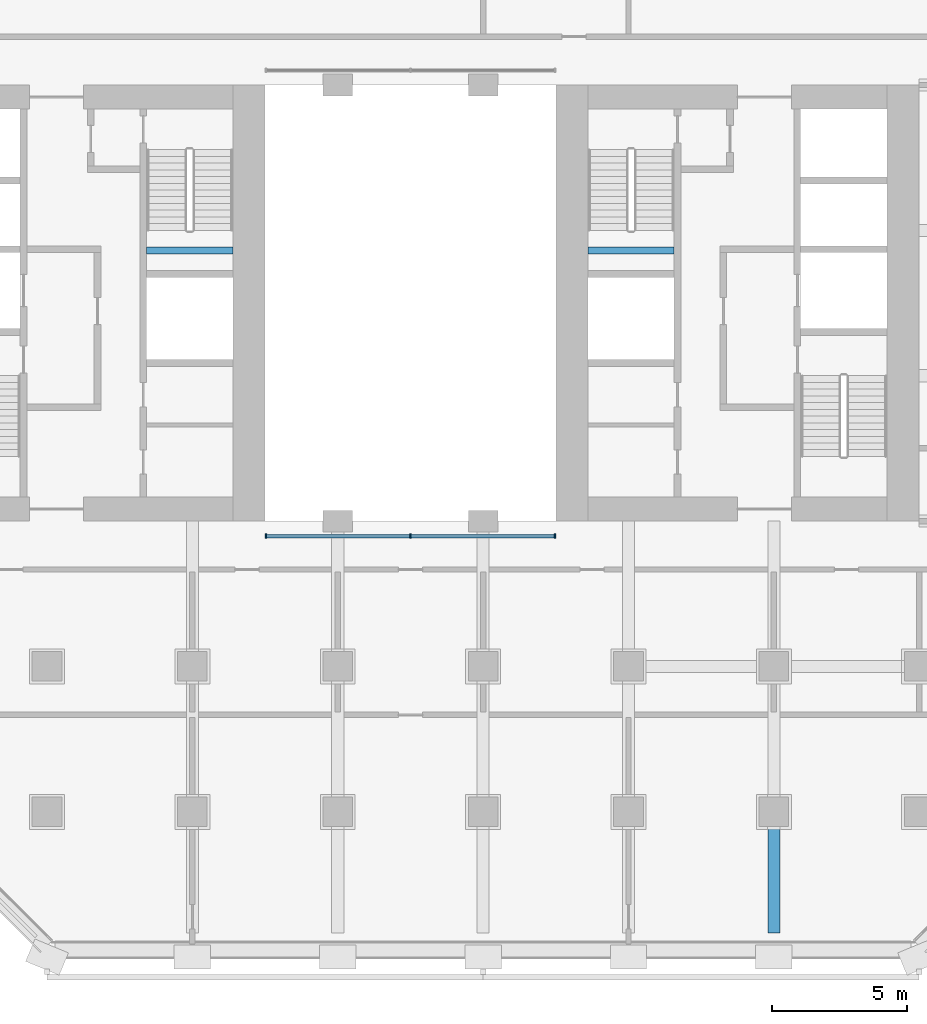
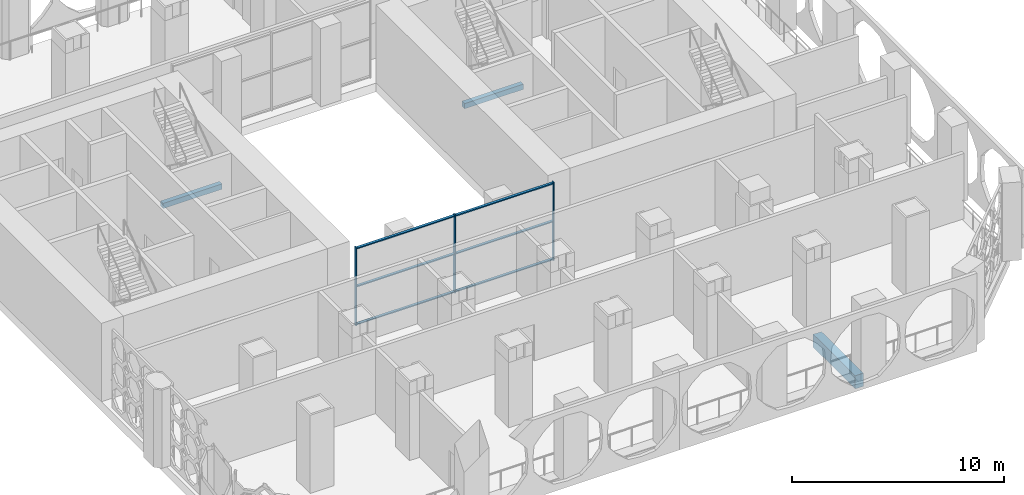
# One storey, part 2 of 14: 9 members, 3 beams, 1 element without a shape of its own.
"""IFC4 building model written with IfcOpenShell, lengths in metres."""

from ifc_helpers import new_model, si_unit, direction, frame, origin, origin_2d, place, context, subcontext, project, spatial, rectangle, extrude, material, material_profile, profile_set, type_object, element, aggregate, save


model = new_model("IFC4")

# Units and contexts
model_context = context("Model", 3, precision=1e-05, world=origin(), true_north=direction((0.0, 1.0)))
body_context = subcontext(model_context, "Body", "Model", "MODEL_VIEW")
ifc_project = project(units=[si_unit("LENGTHUNIT", "METRE"), si_unit("AREAUNIT", "SQUARE_METRE"), si_unit("VOLUMEUNIT", "CUBIC_METRE"), si_unit("PLANEANGLEUNIT", "RADIAN"), si_unit("MASSUNIT", "GRAM", prefix="KILO")], contexts=[model_context])

# Site, building, storey
site_placement = place(None, origin())
site = spatial("IfcSite", under=ifc_project, at=site_placement, CompositionType="ELEMENT")
building_placement = place(site_placement, origin())
building = spatial("IfcBuilding", under=site, at=building_placement, Name="Tabaq Tower and Sports Hall", CompositionType="ELEMENT")
storey_placement = place(building_placement, frame((0.0, 0.0, 60.199951171875)))
storey = spatial("IfcBuildingStorey", under=building, at=storey_placement, Name="L13", CompositionType="ELEMENT", Elevation=60.199951171875)

# Curtain wall, members
ifc_material_1 = material(Name="Aluminium alloy 6063-T6 framed glazing", Category="aluminium")
curtain_wall_type = type_object("IfcCurtainWallType", Name="CW1 curtain wall", PredefinedType="USERDEFINED", material=ifc_material_1)
curtain_wall_placement = place(storey_placement, origin())
curtain_wall = element("IfcCurtainWall", 1, at=curtain_wall_placement, inside=storey, type_object=curtain_wall_type, Name="Atrium glazing L13 S", ObjectType="ATRIUM ENCLOSURE", PredefinedType="USERDEFINED")
ifc_material_2 = material(Name="Aluminium alloy 6063-T6", Category="aluminium")
ifc_material_profile_1 = material_profile(ifc_material_2, rectangle(XDim=0.159912109375, YDim=0.06005859375, at=origin_2d()), Name="MULLION 160x60")
ifc_profile_set_1 = profile_set([ifc_material_profile_1], Name="Aluminium alloy 6063-T6")
member_type_1 = type_object("IfcMemberType", Name="CW1 mullion 160x60", PredefinedType="MULLION", material=ifc_profile_set_1)
member_1_placement = place(storey_placement, frame((18.929931640625, 15.64990234375, 0.0), z_axis=(0.0, 0.0, 1.0), x_axis=(0.0, 1.0, 0.0)))
member_1 = element("IfcMember", 2, at=member_1_placement, type_object=member_type_1, Name="CW1 mullion 1", PredefinedType="MULLION", context=body_context, shape_type="SweptSolid", body=[
    extrude(rectangle(XDim=0.159912109375, YDim=0.06005859375, at=origin_2d()), origin(), (0.0, 0.0, 1.0), 4.5),
])
member_2_placement = place(storey_placement, frame((24.300048828125, 15.64990234375, 0.0), z_axis=(0.0, 0.0, 1.0), x_axis=(0.0, 1.0, 0.0)))
member_2 = element("IfcMember", 3, at=member_2_placement, type_object=member_type_1, Name="CW1 mullion 2", PredefinedType="MULLION", context=body_context, shape_type="SweptSolid", body=[
    extrude(rectangle(XDim=0.159912109375, YDim=0.06005859375, at=origin_2d()), origin(), (0.0, 0.0, 1.0), 4.5),
])
member_3_placement = place(storey_placement, frame((29.669921875, 15.64990234375, 0.0), z_axis=(0.0, 0.0, 1.0), x_axis=(0.0, 1.0, 0.0)))
member_3 = element("IfcMember", 4, at=member_3_placement, type_object=member_type_1, Name="CW1 mullion 3", PredefinedType="MULLION", context=body_context, shape_type="SweptSolid", body=[
    extrude(rectangle(XDim=0.159912109375, YDim=0.06005859375, at=origin_2d()), origin(), (0.0, 0.0, 1.0), 4.5),
])
ifc_material_3 = material(Name="Aluminium alloy 6063-T6", Category="aluminium")
ifc_material_profile_2 = material_profile(ifc_material_3, rectangle(XDim=0.139892578125, YDim=0.06005859375, at=origin_2d()), Name="TRANSOM 140x60")
ifc_profile_set_2 = profile_set([ifc_material_profile_2], Name="Aluminium alloy 6063-T6")
member_type_2 = type_object("IfcMemberType", Name="CW1 transom 140x60", PredefinedType="USERDEFINED", material=ifc_profile_set_2)
member_4_placement = place(storey_placement, frame((18.9599609375, 15.64990234375, 0.070068359375), z_axis=(1.0, 0.0, 0.0), x_axis=(0.0, 1.0, 0.0)))
member_4 = element("IfcMember", 5, at=member_4_placement, type_object=member_type_2, Name="CW1 transom 1.1", ObjectType="TRANSOM", PredefinedType="USERDEFINED", context=body_context, shape_type="SweptSolid", body=[
    extrude(rectangle(XDim=0.139892578125, YDim=0.06005859375, at=origin_2d()), origin(), (0.0, 0.0, 1.0), 5.31005859375),
])
member_5_placement = place(storey_placement, frame((18.9599609375, 15.64990234375, 2.25), z_axis=(1.0, 0.0, 0.0), x_axis=(0.0, 1.0, 0.0)))
member_5 = element("IfcMember", 6, at=member_5_placement, type_object=member_type_2, Name="CW1 transom 1.2", ObjectType="TRANSOM", PredefinedType="USERDEFINED", context=body_context, shape_type="SweptSolid", body=[
    extrude(rectangle(XDim=0.139892578125, YDim=0.06005859375, at=origin_2d()), origin(), (0.0, 0.0, 1.0), 5.31005859375),
])
member_6_placement = place(storey_placement, frame((18.9599609375, 15.64990234375, 4.429931640625), z_axis=(1.0, 0.0, 0.0), x_axis=(0.0, 1.0, 0.0)))
member_6 = element("IfcMember", 7, at=member_6_placement, type_object=member_type_2, Name="CW1 transom 1.3", ObjectType="TRANSOM", PredefinedType="USERDEFINED", context=body_context, shape_type="SweptSolid", body=[
    extrude(rectangle(XDim=0.139892578125, YDim=0.06005859375, at=origin_2d()), origin(), (0.0, 0.0, 1.0), 5.31005859375),
])
member_7_placement = place(storey_placement, frame((24.330078125, 15.64990234375, 0.070068359375), z_axis=(1.0, 0.0, 0.0), x_axis=(0.0, 1.0, 0.0)))
member_7 = element("IfcMember", 8, at=member_7_placement, type_object=member_type_2, Name="CW1 transom 2.1", ObjectType="TRANSOM", PredefinedType="USERDEFINED", context=body_context, shape_type="SweptSolid", body=[
    extrude(rectangle(XDim=0.139892578125, YDim=0.06005859375, at=origin_2d()), origin(), (0.0, 0.0, 1.0), 5.309814453125),
])
member_8_placement = place(storey_placement, frame((24.330078125, 15.64990234375, 2.25), z_axis=(1.0, 0.0, 0.0), x_axis=(0.0, 1.0, 0.0)))
member_8 = element("IfcMember", 9, at=member_8_placement, type_object=member_type_2, Name="CW1 transom 2.2", ObjectType="TRANSOM", PredefinedType="USERDEFINED", context=body_context, shape_type="SweptSolid", body=[
    extrude(rectangle(XDim=0.139892578125, YDim=0.06005859375, at=origin_2d()), origin(), (0.0, 0.0, 1.0), 5.309814453125),
])
member_9_placement = place(storey_placement, frame((24.330078125, 15.64990234375, 4.429931640625), z_axis=(1.0, 0.0, 0.0), x_axis=(0.0, 1.0, 0.0)))
member_9 = element("IfcMember", 10, at=member_9_placement, type_object=member_type_2, Name="CW1 transom 2.3", ObjectType="TRANSOM", PredefinedType="USERDEFINED", context=body_context, shape_type="SweptSolid", body=[
    extrude(rectangle(XDim=0.139892578125, YDim=0.06005859375, at=origin_2d()), origin(), (0.0, 0.0, 1.0), 5.309814453125),
])
aggregate(curtain_wall, [member_1, member_2, member_3, member_4, member_5, member_6, member_7, member_8, member_9])

# Beams
ifc_material_4 = material(Name="Concrete C40/50", Category="concrete")
ifc_material_profile_3 = material_profile(ifc_material_4, rectangle(XDim=0.449951171875, YDim=0.75, at=origin_2d()), Name="CB 450x750")
ifc_profile_set_3 = profile_set([ifc_material_profile_3], Name="Concrete C40/50")
beam_type_1 = type_object("IfcBeamType", Name="PT CANTILEVER BEAM CB 450x750 C40/50", PredefinedType="BEAM", material=ifc_profile_set_3)
beam_1_placement = place(storey_placement, frame((37.800048828125, 0.89990234375, -0.875), z_axis=(0.0, 1.0, 0.0), x_axis=(-1.0, 0.0, 0.0)))
element("IfcBeam", 11, at=beam_1_placement, inside=storey, type_object=beam_type_1, Name="Cantilever Beam L13 S7 span 1", PredefinedType="BEAM", context=body_context, shape_type="SweptSolid", body=[
    extrude(rectangle(XDim=0.449951171875, YDim=0.75, at=origin_2d()), origin(), (0.0, 0.0, 1.0), 3.9501953125),
])
ifc_material_5 = material(Name="Concrete C40/50", Category="concrete")
ifc_material_profile_4 = material_profile(ifc_material_5, rectangle(XDim=0.25, YDim=0.300048828125, at=origin_2d()), Name="RC 250x300")
ifc_profile_set_4 = profile_set([ifc_material_profile_4], Name="Concrete C40/50")
beam_type_2 = type_object("IfcBeamType", Name="Stair landing beam 250x300", PredefinedType="BEAM", material=ifc_profile_set_4)
beam_2_placement = place(storey_placement, frame((14.5, 26.25, 2.050048828125), z_axis=(1.0, 0.0, 0.0), x_axis=(0.0, 1.0, 0.0)))
element("IfcBeam", 12, at=beam_2_placement, inside=storey, type_object=beam_type_2, Name="L13 ST2 landing beam 1", PredefinedType="BEAM", context=body_context, shape_type="SweptSolid", body=[
    extrude(rectangle(XDim=0.25, YDim=0.300048828125, at=origin_2d()), origin(), (0.0, 0.0, 1.0), 3.199951171875),
])
beam_3_placement = place(storey_placement, frame((30.89990234375, 26.25, 2.050048828125), z_axis=(1.0, 0.0, 0.0), x_axis=(0.0, 1.0, 0.0)))
element("IfcBeam", 13, at=beam_3_placement, inside=storey, type_object=beam_type_2, Name="L13 ST4 landing beam 1", PredefinedType="BEAM", context=body_context, shape_type="SweptSolid", body=[
    extrude(rectangle(XDim=0.25, YDim=0.300048828125, at=origin_2d()), origin(), (0.0, 0.0, 1.0), 3.2001953125),
])

save(model, "model.ifc")
